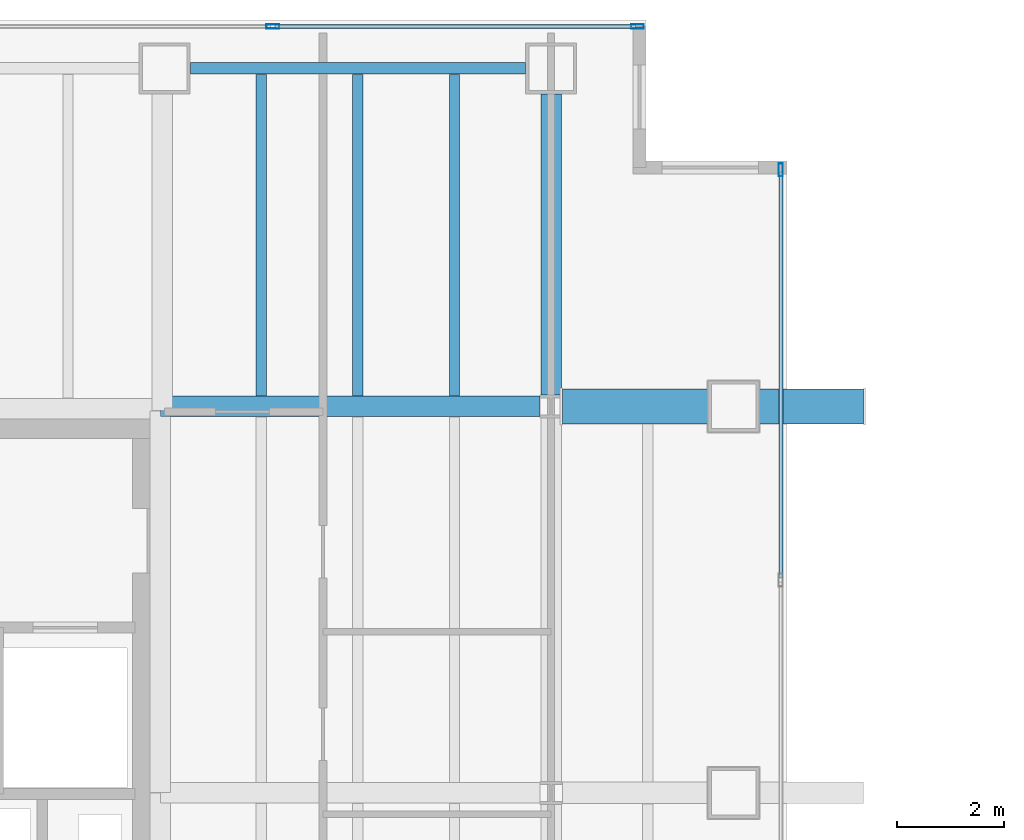
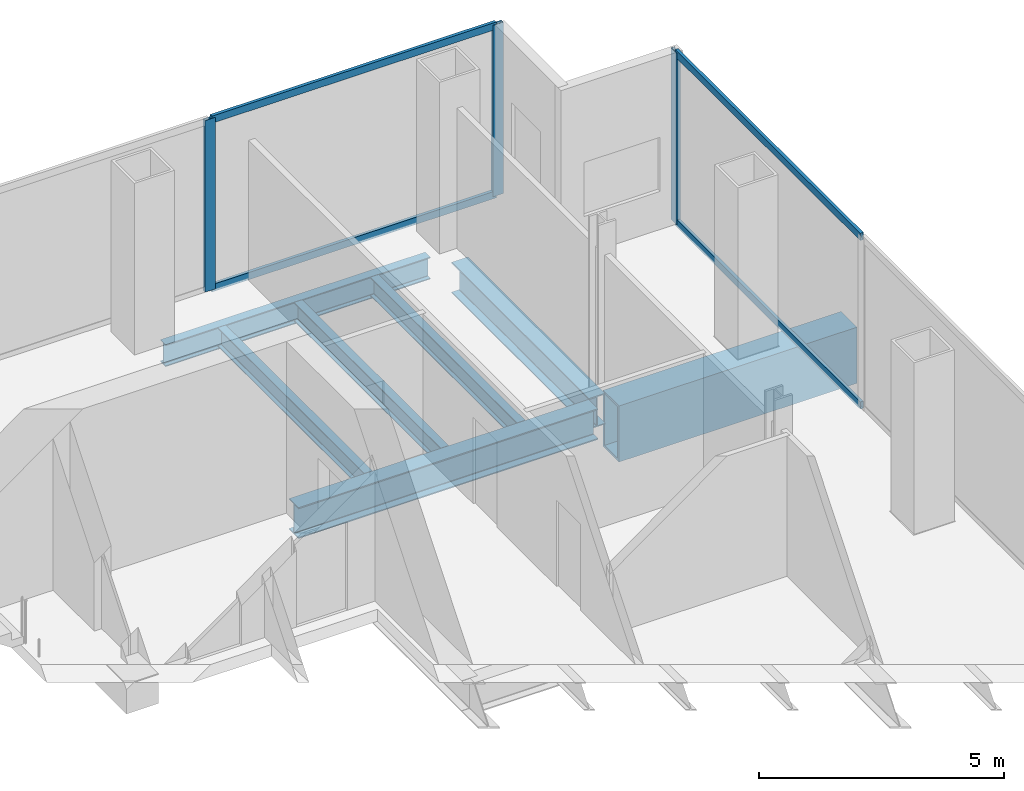
# One storey, part 10 of 16: 7 beams, 7 members, 2 elements without a shape of their own.
"""IFC4 building model written with IfcOpenShell, lengths in metres."""

import ifcopenshell
import ifcopenshell.guid

model = None  # the IFC model being written
_history = None  # IfcOwnerHistory: only IFC2X3 demands one
_inside = {}  # id of a spatial element -> (the spatial element, [elements in it])
_under = {}  # id of a project, library or spatial element -> (it, [spatial elements below it])
_declared = {}  # id of a project -> (the project, [libraries it declares])
_typed = {}  # id of a type object -> (the type object, [elements of that type])
_made_of = {}  # id of a material, layer set ... -> (it, [elements and type objects made of it])


def new_model(schema):
    """Start an empty IFC model of exactly this schema.

    Asked for "IFC4X3", IfcOpenShell would pick the latest addendum, in which some entities
    have other attributes; the version numbers below select the first issue.
    IFC2X3 requires an IfcOwnerHistory on every rooted entity: one is made here for all.
    """
    global model, _history
    if schema == "IFC4X3":
        model = ifcopenshell.file(schema_version=(4, 3, 0, 0))
    else:
        model = ifcopenshell.file(schema=schema)
    _inside.clear()
    _under.clear()
    _declared.clear()
    _typed.clear()
    _made_of.clear()
    _history = None
    if model.schema == "IFC2X3":
        org = make("IfcOrganization", Name="unknown")
        user = make(
            "IfcPersonAndOrganization",
            ThePerson=make("IfcPerson", FamilyName="unknown"),
            TheOrganization=org,
        )
        app = make(
            "IfcApplication",
            ApplicationDeveloper=org,
            Version="unknown",
            ApplicationFullName="unknown",
            ApplicationIdentifier="unknown",
        )
        _history = make(
            "IfcOwnerHistory",
            OwningUser=user,
            OwningApplication=app,
            ChangeAction="ADDED",
            CreationDate=0,
        )
    return model


def make(cls, **values):
    """One entity of the class cls with the attributes given. An attribute that is None is left unset."""
    return model.create_entity(
        cls, **{name: value for name, value in values.items() if value is not None}
    )


def rooted(cls, **values):
    """An entity with a GlobalId (a new one), such as an element, a storey or a relation."""
    return make(cls, GlobalId=ifcopenshell.guid.new(), OwnerHistory=_history, **values)


def si_unit(unit_type, name, prefix=None):
    """IfcSIUnit, for example si_unit("LENGTHUNIT", "METRE", prefix="MILLI")."""
    return make("IfcSIUnit", UnitType=unit_type, Prefix=prefix, Name=name)


def assignment(units):
    """IfcUnitAssignment: the units of a project."""
    return None if units is None else make("IfcUnitAssignment", Units=units)


def point(xyz):
    """IfcCartesianPoint."""
    return None if xyz is None else make("IfcCartesianPoint", Coordinates=xyz)


def direction(xyz):
    """IfcDirection."""
    return None if xyz is None else make("IfcDirection", DirectionRatios=xyz)


def frame(location, z_axis=None, x_axis=None):
    """IfcAxis2Placement3D, a coordinate frame: its origin and axes. An axis left out is left unset."""
    return make(
        "IfcAxis2Placement3D",
        Location=point(location),
        Axis=direction(z_axis),
        RefDirection=direction(x_axis),
    )


def frame_2d(location, x_axis=None):
    """IfcAxis2Placement2D, a coordinate frame in the plane: its origin and x axis."""
    return make(
        "IfcAxis2Placement2D", Location=point(location), RefDirection=direction(x_axis)
    )


def origin():
    """The frame at (0, 0, 0) with its axes left unset."""
    return frame((0.0, 0.0, 0.0))


def origin_2d():
    """The frame at (0, 0) in the plane with its x axis left unset."""
    return frame_2d((0.0, 0.0))


def place(relative_to, where):
    """IfcLocalPlacement: puts the frame where relative to a parent placement (None: the world)."""
    return make(
        "IfcLocalPlacement", PlacementRelTo=relative_to, RelativePlacement=where
    )


def context(
    kind, dimensions, precision=None, world=None, true_north=None, identifier=None
):
    """IfcGeometricRepresentationContext, for example the 3D "Model" context."""
    return make(
        "IfcGeometricRepresentationContext",
        ContextIdentifier=identifier,
        ContextType=kind,
        CoordinateSpaceDimension=dimensions,
        Precision=precision,
        WorldCoordinateSystem=world,
        TrueNorth=true_north,
    )


def subcontext(parent, identifier, kind, view, scale=None):
    """IfcGeometricRepresentationSubContext, for example "Body" below "Model"."""
    return make(
        "IfcGeometricRepresentationSubContext",
        ContextIdentifier=identifier,
        ContextType=kind,
        ParentContext=parent,
        TargetScale=scale,
        TargetView=view,
    )


def project(units=None, contexts=None):
    """IfcProject with its units and contexts."""
    return rooted(
        "IfcProject",
        Name="project",
        RepresentationContexts=contexts,
        UnitsInContext=assignment(units),
    )


def spatial(cls, under=None, at=None, **own):
    """A site, building, storey or space (cls), placed at a placement, below another one or the project."""
    s = rooted(cls, ObjectPlacement=at, **own)
    if under is not None:
        _under.setdefault(under.id(), (under, []))[1].append(s)
    return s


def profile(cls, at=None, kind="AREA", **sizes):
    """A parametric profile (cls). Its sizes go by their IFC names, for example OverallWidth=200.0."""
    return make(cls, ProfileType=kind, Position=at, **sizes)


def hollow_rectangle(**sizes):
    """IfcRectangleHollowProfileDef."""
    return profile("IfcRectangleHollowProfileDef", **sizes)


def i_section(**sizes):
    """IfcIShapeProfileDef."""
    return profile("IfcIShapeProfileDef", **sizes)


def extrude(swept, where, along, depth):
    """IfcExtrudedAreaSolid: the profile swept, set in the frame where, extruded along a direction by depth."""
    return make(
        "IfcExtrudedAreaSolid",
        SweptArea=swept,
        Position=where,
        ExtrudedDirection=direction(along),
        Depth=depth,
    )


def shape(context_of_items, identifier, shape_type, items):
    """IfcShapeRepresentation: the items that make up one representation, for example the "Body"."""
    return make(
        "IfcShapeRepresentation",
        ContextOfItems=context_of_items,
        RepresentationIdentifier=identifier,
        RepresentationType=shape_type,
        Items=items,
    )


def material(Name=None, Category=None):
    """IfcMaterial."""
    return make("IfcMaterial", Name=Name, Category=Category)


def material_profile(
    of_material, cross_section, Name=None, Category=None, Priority=None
):
    """IfcMaterialProfile: a cross section and its material."""
    return make(
        "IfcMaterialProfile",
        Name=Name,
        Material=of_material,
        Profile=cross_section,
        Priority=Priority,
        Category=Category,
    )


def profile_set(profiles, Name=None, composite=None):
    """IfcMaterialProfileSet."""
    return make(
        "IfcMaterialProfileSet",
        Name=Name,
        MaterialProfiles=profiles,
        CompositeProfile=composite,
    )


def made_of(thing, what):
    """Note that an element or type object is made of a material, layer set ...; save() writes the relation."""
    if what is not None:
        _made_of.setdefault(what.id(), (what, []))[1].append(thing)
    return thing


def type_object(cls, material=None, **own):
    """A type object (cls), such as IfcWallType, which elements share."""
    return made_of(rooted(cls, **own), material)


def element(
    cls,
    number,
    at=None,
    inside=None,
    cuts=None,
    type_object=None,
    material=None,
    context=None,
    identifier="Body",
    shape_type=None,
    held_by="IfcProductDefinitionShape",
    body=None,
    shapes=None,
    **own,
):
    """One element of the class cls, such as IfcWall. Its Tag is "e" and its number.

    at: its placement. inside: the storey or other place that contains it. cuts: it is an
    opening in that element (IfcRelVoidsElement). A single representation is given by context,
    identifier, shape_type and body (its items); several are given by shapes. held_by: the class
    of the entity that holds the representations. save() writes the other relations.
    """
    e = rooted(cls, Tag="e%d" % number, ObjectPlacement=at, **own)
    if body is not None:
        shapes = [shape(context, identifier, shape_type, body)]
    if shapes is not None:
        e.Representation = make(held_by, Representations=shapes)
    if inside is not None:
        _inside.setdefault(inside.id(), (inside, []))[1].append(e)
    if cuts is not None:
        rooted(
            "IfcRelVoidsElement", RelatingBuildingElement=cuts, RelatedOpeningElement=e
        )
    if type_object is not None:
        _typed.setdefault(type_object.id(), (type_object, []))[1].append(e)
    return made_of(e, material)


def aggregate(whole, parts):
    """IfcRelAggregates: a whole, such as a stair, and the parts it consists of."""
    return rooted("IfcRelAggregates", RelatingObject=whole, RelatedObjects=parts)


def save(model, path):
    """Write the relations noted so far, then the file.

    IfcRelAggregates (storeys below a building ...), IfcRelContainedInSpatialStructure (elements
    in a storey), IfcRelDefinesByType, IfcRelAssociatesMaterial and IfcRelDeclares: one each for
    every whole, place, type object, material and project.
    """
    for whole, parts in _under.values():
        aggregate(whole, parts)
    for where, things in _inside.values():
        rooted(
            "IfcRelContainedInSpatialStructure",
            RelatedElements=things,
            RelatingStructure=where,
        )
    for kind, things in _typed.values():
        rooted("IfcRelDefinesByType", RelatedObjects=things, RelatingType=kind)
    for what, things in _made_of.values():
        rooted("IfcRelAssociatesMaterial", RelatedObjects=things, RelatingMaterial=what)
    for by, libraries in _declared.values():
        rooted("IfcRelDeclares", RelatingContext=by, RelatedDefinitions=libraries)
    model.write(path)


model = new_model("IFC4")

# Units and contexts
model_context = context("Model", 3, precision=1e-05, world=origin(), true_north=direction((0.0, 1.0)))
body_context = subcontext(model_context, "Body", "Model", "MODEL_VIEW")
ifc_project = project(units=[si_unit("LENGTHUNIT", "METRE"), si_unit("AREAUNIT", "SQUARE_METRE"), si_unit("VOLUMEUNIT", "CUBIC_METRE"), si_unit("PLANEANGLEUNIT", "RADIAN"), si_unit("MASSUNIT", "GRAM", prefix="KILO")], contexts=[model_context])

# Site, building, storey
site_placement = place(None, origin())
site = spatial("IfcSite", under=ifc_project, at=site_placement, CompositionType="ELEMENT")
building_placement = place(site_placement, origin())
building = spatial("IfcBuilding", under=site, at=building_placement, Name="Cobrela Telecom Tower", CompositionType="ELEMENT")
storey_placement = place(building_placement, frame((0.0, 0.0, 97.64990234375)))
storey = spatial("IfcBuildingStorey", under=building, at=storey_placement, Name="L24", CompositionType="ELEMENT", Elevation=97.64990234375)

# Beams
ifc_material_1 = material(Name="Steel ASTM A992 Grade 50", Category="steel")
ifc_material_profile_1 = material_profile(ifc_material_1, i_section(OverallWidth=0.381103515625, OverallDepth=0.77197265625, WebThickness=0.0166015625, FlangeThickness=0.027099609375, FilletRadius=0.01904296875, at=origin_2d()), Name="W30X173")
ifc_profile_set_1 = profile_set([ifc_material_profile_1], Name="Steel ASTM A992 Grade 50")
beam_type_1 = type_object("IfcBeamType", Name="BM-GIRD-04", PredefinedType="USERDEFINED", material=ifc_profile_set_1)
beam_1_placement = place(storey_placement, frame((14.324951171875, 36.0, -0.685791015625), z_axis=(1.0, 0.0, 0.0), x_axis=(0.0, 1.0, 0.0)))
element("IfcBeam", 1, at=beam_1_placement, inside=storey, type_object=beam_type_1, Name="L24 Primary Girder X18", ObjectType="GIRDER", PredefinedType="USERDEFINED", context=body_context, shape_type="SweptSolid", body=[
    extrude(i_section(OverallWidth=0.381103515625, OverallDepth=0.77197265625, WebThickness=0.0166015625, FlangeThickness=0.027099609375, FilletRadius=0.01904296875, at=origin_2d()), origin(), (0.0, 0.0, 1.0), 7.0654296875),
])
beam_2_placement = place(storey_placement, frame((21.60009765625, 36.20947265625, -0.685791015625), z_axis=(0.0, 1.0, 0.0), x_axis=(-1.0, 0.0, 0.0)))
element("IfcBeam", 2, at=beam_2_placement, inside=storey, type_object=beam_type_1, Name="L24 Primary Girder Y31", ObjectType="GIRDER", PredefinedType="USERDEFINED", context=body_context, shape_type="SweptSolid", body=[
    extrude(i_section(OverallWidth=0.381103515625, OverallDepth=0.77197265625, WebThickness=0.0166015625, FlangeThickness=0.027099609375, FilletRadius=0.01904296875, at=origin_2d()), origin(), (0.0, 0.0, 1.0), 5.610595703125),
])
ifc_material_profile_2 = material_profile(ifc_material_1, i_section(OverallWidth=0.193115234375, OverallDepth=0.467041015625, WebThickness=0.011474609375, FlangeThickness=0.01904296875, FilletRadius=0.012939453125, at=origin_2d()), Name="W18X65")
ifc_profile_set_2 = profile_set([ifc_material_profile_2], Name="Steel ASTM A992 Grade 50")
beam_type_2 = type_object("IfcBeamType", Name="BM-JOIST-03", PredefinedType="JOIST", material=ifc_profile_set_2)
for number, where, z_axis, x_axis, name in (
    (3, (16.199951171875, 36.195556640625, -0.533447265625), (0.0, 1.0, 0.0), (-1.0, 0.0, 0.0), "L24 Secondary Composite Floor Beam J08"),
    (4, (18.0, 36.195556640625, -0.533447265625), (0.0, 1.0, 0.0), (-1.0, 0.0, 0.0), "L24 Secondary Composite Floor Beam J13"),
    (5, (19.800048828125, 36.195556640625, -0.533447265625), (0.0, 1.0, 0.0), (-1.0, 0.0, 0.0), "L24 Secondary Composite Floor Beam J18"),
):
    element("IfcBeam", number, at=place(storey_placement, frame(where, z_axis=z_axis, x_axis=x_axis)), inside=storey, type_object=beam_type_2, Name=name, PredefinedType="JOIST", context=body_context, shape_type="SweptSolid", body=[
        extrude(i_section(OverallWidth=0.193115234375, OverallDepth=0.467041015625, WebThickness=0.011474609375, FlangeThickness=0.01904296875, FilletRadius=0.012939453125, at=origin_2d()), origin(), (0.0, 0.0, 1.0), 5.992919921875),
    ])
ifc_material_profile_3 = material_profile(ifc_material_1, i_section(OverallWidth=0.212890625, OverallDepth=0.549072265625, WebThickness=0.0146484375, FlangeThickness=0.023681640625, FilletRadius=0.013916015625, at=origin_2d()), Name="W21X93")
ifc_profile_set_3 = profile_set([ifc_material_profile_3], Name="Steel ASTM A992 Grade 50")
beam_type_3 = type_object("IfcBeamType", Name="BM-SPAND-03", PredefinedType="SPANDREL", material=ifc_profile_set_3)
beam_3_placement = place(storey_placement, frame((14.8798828125, 42.300048828125, -0.574462890625), z_axis=(1.0, 0.0, 0.0), x_axis=(0.0, 1.0, 0.0)))
element("IfcBeam", 6, at=beam_3_placement, inside=storey, type_object=beam_type_3, Name="L24 Perimeter Spandrel X20", PredefinedType="SPANDREL", context=body_context, shape_type="SweptSolid", body=[
    extrude(i_section(OverallWidth=0.212890625, OverallDepth=0.549072265625, WebThickness=0.0146484375, FlangeThickness=0.023681640625, FilletRadius=0.013916015625, at=origin_2d()), origin(), (0.0, 0.0, 1.0), 6.240234375),
])
ifc_material_2 = material(Name="Steel ASTM A572 Grade 50", Category="steel")
ifc_material_profile_4 = material_profile(ifc_material_2, hollow_rectangle(XDim=0.64990234375, YDim=1.39990234375, WallThickness=0.054931640625, at=origin_2d()), Name="BOX 1400x650x55")
ifc_profile_set_4 = profile_set([ifc_material_profile_4], Name="Steel ASTM A572 Grade 50")
beam_type_4 = type_object("IfcBeamType", Name="BM-TRG-1400", PredefinedType="USERDEFINED", material=ifc_profile_set_4)
beam_4_placement = place(storey_placement, frame((21.8095703125, 36.0, -1.0), z_axis=(1.0, 0.0, 0.0), x_axis=(0.0, 1.0, 0.0)))
element("IfcBeam", 7, at=beam_4_placement, inside=storey, type_object=beam_type_4, Name="L24 Transfer Girder 05", ObjectType="GIRDER", PredefinedType="USERDEFINED", context=body_context, shape_type="SweptSolid", body=[
    extrude(hollow_rectangle(XDim=0.64990234375, YDim=1.39990234375, WallThickness=0.054931640625, at=origin_2d()), origin(), (0.0, 0.0, 1.0), 5.6103515625),
])

# Curtain wall, members
ifc_material_3 = material(Name="Anodized Bronze Aluminium 6063-T6", Category="aluminium")
curtain_wall_type = type_object("IfcCurtainWallType", Name="CW-SYS-SKY", PredefinedType="USERDEFINED", material=ifc_material_3)
curtain_wall_1_placement = place(storey_placement, origin())
curtain_wall_1 = element("IfcCurtainWall", 8, at=curtain_wall_1_placement, inside=storey, type_object=curtain_wall_type, Name="L24 Unitised Bronze Curtain Wall 07", ObjectType="UNITISED CURTAIN WALL", PredefinedType="USERDEFINED")
ifc_material_profile_5 = material_profile(ifc_material_3, hollow_rectangle(XDim=0.080078125, YDim=0.239990234375, WallThickness=0.0048828125, at=origin_2d()), Name="ALU 80x240x5")
ifc_profile_set_5 = profile_set([ifc_material_profile_5], Name="Anodized Bronze Aluminium 6063-T6")
member_type_1 = type_object("IfcMemberType", Name="CW-SYS-SKY-MUL", PredefinedType="MULLION", material=ifc_profile_set_5)
member_1_placement = place(storey_placement, frame((16.416748046875, 43.080078125, 0.0), z_axis=(0.0, 0.0, 1.0), x_axis=(0.0, 1.0, 0.0)))
member_1 = element("IfcMember", 9, at=member_1_placement, type_object=member_type_1, Name="CW-SKY mullion 3", PredefinedType="MULLION", context=body_context, shape_type="SweptSolid", body=[
    extrude(hollow_rectangle(XDim=0.080078125, YDim=0.239990234375, WallThickness=0.0048828125, at=origin_2d()), origin(), (0.0, 0.0, 1.0), 4.280029296875),
])
member_2_placement = place(storey_placement, frame((23.2099609375, 43.080078125, 0.0), z_axis=(0.0, 0.0, 1.0), x_axis=(0.0, 1.0, 0.0)))
member_2 = element("IfcMember", 10, at=member_2_placement, type_object=member_type_1, Name="CW-SKY mullion 4", PredefinedType="MULLION", context=body_context, shape_type="SweptSolid", body=[
    extrude(hollow_rectangle(XDim=0.080078125, YDim=0.239990234375, WallThickness=0.0048828125, at=origin_2d()), origin(), (0.0, 0.0, 1.0), 4.280029296875),
])

# Curtain wall, member
curtain_wall_2_placement = place(storey_placement, origin())
curtain_wall_2 = element("IfcCurtainWall", 11, at=curtain_wall_2_placement, inside=storey, type_object=curtain_wall_type, Name="L24 Unitised Bronze Curtain Wall 10", ObjectType="UNITISED CURTAIN WALL", PredefinedType="USERDEFINED")
member_3_placement = place(storey_placement, frame((25.8798828125, 40.409912109375, 0.0), z_axis=(0.0, 0.0, 1.0), x_axis=(1.0, 0.0, 0.0)))
member_3 = element("IfcMember", 12, at=member_3_placement, type_object=member_type_1, Name="CW-SKY mullion 1", PredefinedType="MULLION", context=body_context, shape_type="SweptSolid", body=[
    extrude(hollow_rectangle(XDim=0.080078125, YDim=0.239990234375, WallThickness=0.0048828125, at=origin_2d()), origin(), (0.0, 0.0, 1.0), 4.280029296875),
])

# Member
ifc_material_profile_6 = material_profile(ifc_material_3, hollow_rectangle(XDim=0.074951171875, YDim=0.179931640625, WallThickness=0.00390625, at=origin_2d()), Name="ALU 75x180x4")
ifc_profile_set_6 = profile_set([ifc_material_profile_6], Name="Anodized Bronze Aluminium 6063-T6")
member_type_2 = type_object("IfcMemberType", Name="CW-SYS-SKY-TRN", PredefinedType="USERDEFINED", material=ifc_profile_set_6)
member_4_placement = place(storey_placement, frame((16.456787109375, 43.080078125, 0.03759765625), z_axis=(1.0, 0.0, 0.0), x_axis=(0.0, 1.0, 0.0)))
member_4 = element("IfcMember", 13, at=member_4_placement, type_object=member_type_2, Name="CW-SKY transom 3.1", ObjectType="TRANSOM", PredefinedType="USERDEFINED", context=body_context, shape_type="SweptSolid", body=[
    extrude(hollow_rectangle(XDim=0.074951171875, YDim=0.179931640625, WallThickness=0.00390625, at=origin_2d()), origin(), (0.0, 0.0, 1.0), 6.713134765625),
])

member_5_placement = place(storey_placement, frame((16.456787109375, 43.080078125, 4.24267578125), z_axis=(1.0, 0.0, 0.0), x_axis=(0.0, 1.0, 0.0)))
member_5 = element("IfcMember", 14, at=member_5_placement, type_object=member_type_2, Name="CW-SKY transom 3.2", ObjectType="TRANSOM", PredefinedType="USERDEFINED", context=body_context, shape_type="SweptSolid", body=[
    extrude(hollow_rectangle(XDim=0.074951171875, YDim=0.179931640625, WallThickness=0.00390625, at=origin_2d()), origin(), (0.0, 0.0, 1.0), 6.713134765625),
])

aggregate(curtain_wall_1, [member_1, member_2, member_4, member_5])

member_6_placement = place(storey_placement, frame((25.8798828125, 40.3701171875, 0.03759765625), z_axis=(0.0, -1.0, 0.0), x_axis=(1.0, 0.0, 0.0)))
member_6 = element("IfcMember", 15, at=member_6_placement, type_object=member_type_2, Name="CW-SKY transom 1.1", ObjectType="TRANSOM", PredefinedType="USERDEFINED", context=body_context, shape_type="SweptSolid", body=[
    extrude(hollow_rectangle(XDim=0.074951171875, YDim=0.179931640625, WallThickness=0.00390625, at=origin_2d()), origin(), (0.0, 0.0, 1.0), 7.565185546875),
])

member_7_placement = place(storey_placement, frame((25.8798828125, 40.3701171875, 4.24267578125), z_axis=(0.0, -1.0, 0.0), x_axis=(1.0, 0.0, 0.0)))
member_7 = element("IfcMember", 16, at=member_7_placement, type_object=member_type_2, Name="CW-SKY transom 1.2", ObjectType="TRANSOM", PredefinedType="USERDEFINED", context=body_context, shape_type="SweptSolid", body=[
    extrude(hollow_rectangle(XDim=0.074951171875, YDim=0.179931640625, WallThickness=0.00390625, at=origin_2d()), origin(), (0.0, 0.0, 1.0), 7.565185546875),
])

aggregate(curtain_wall_2, [member_3, member_6, member_7])

save(model, "model.ifc")
